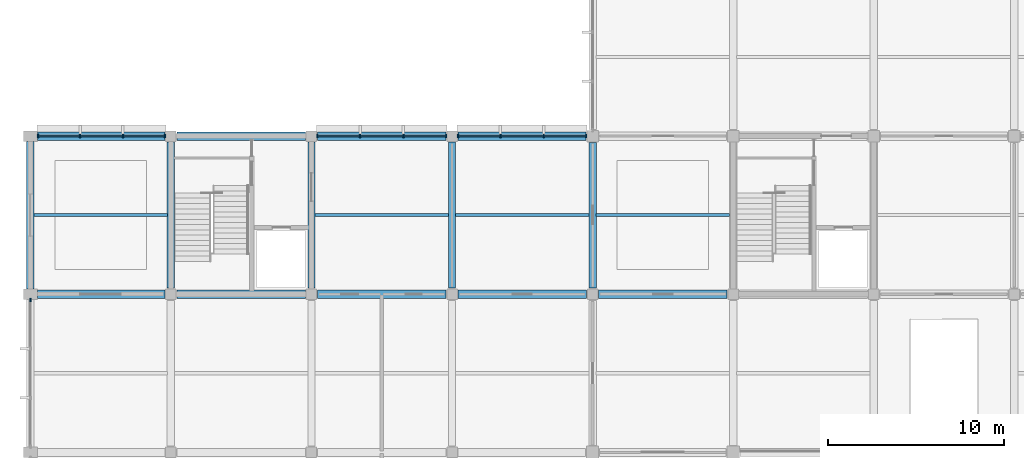
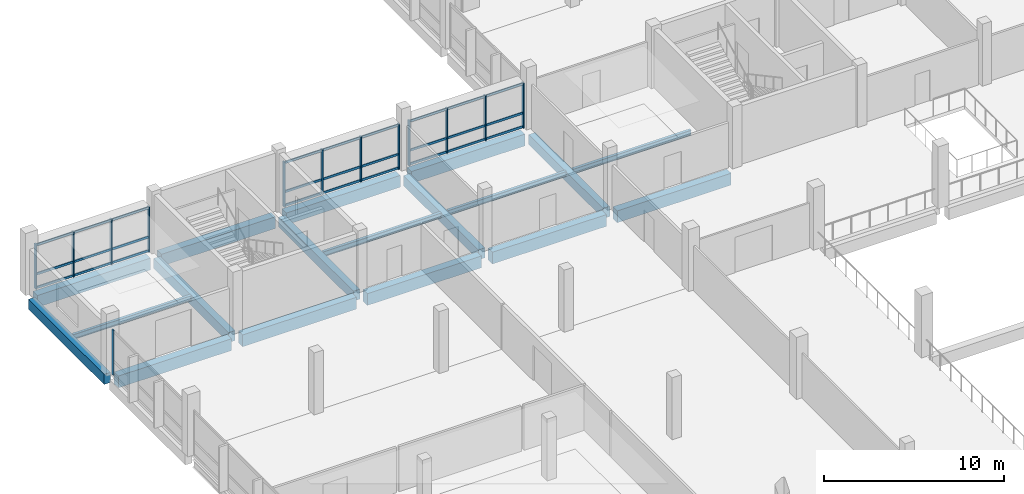
# One storey, part 14 of 57: 40 members, 18 beams, 4 elements without a shape of their own.
"""IFC4 building model written with IfcOpenShell, lengths in metres."""

from ifc_helpers import new_model, si_unit, direction, frame, origin, origin_2d, place, context, subcontext, project, spatial, rectangle, i_section, extrude, material, material_profile, profile_set, type_object, element, aggregate, save


model = new_model("IFC4")

# Units and contexts
model_context = context("Model", 3, precision=1e-05, world=origin(), true_north=direction((0.0, 1.0)))
body_context = subcontext(model_context, "Body", "Model", "MODEL_VIEW")
ifc_project = project(units=[si_unit("LENGTHUNIT", "METRE"), si_unit("AREAUNIT", "SQUARE_METRE"), si_unit("VOLUMEUNIT", "CUBIC_METRE"), si_unit("PLANEANGLEUNIT", "RADIAN"), si_unit("MASSUNIT", "GRAM", prefix="KILO"), si_unit("THERMODYNAMICTEMPERATUREUNIT", "KELVIN"), si_unit("POWERUNIT", "WATT")], contexts=[model_context])

# Site, building, storey
site_placement = place(None, origin())
site = spatial("IfcSite", under=ifc_project, at=site_placement, CompositionType="ELEMENT")
building_placement = place(site_placement, origin())
building = spatial("IfcBuilding", under=site, at=building_placement, Name="Kronsvod Quay Wholesale Market", CompositionType="ELEMENT")
storey_placement = place(building_placement, frame((0.0, 0.0, 4.800048828125)))
storey = spatial("IfcBuildingStorey", under=building, at=storey_placement, Name="L01", CompositionType="ELEMENT", Elevation=4.800048828125)

# Beams
ifc_material_1 = material(Name="Precast concrete C40/50", Category="concrete")
ifc_material_profile_1 = material_profile(ifc_material_1, rectangle(XDim=0.419921875, YDim=0.679931640625, at=origin_2d()), Name="PB-05")
ifc_profile_set_1 = profile_set([ifc_material_profile_1], Name="Precast concrete C40/50")
beam_type_1 = type_object("IfcBeamType", Name="Beam_PCB420x680", PredefinedType="BEAM", material=ifc_profile_set_1)
beam_1_placement = place(storey_placement, frame((0.0, 99.300048828125, -0.64013671875), z_axis=(0.0, 1.0, 0.0), x_axis=(-1.0, 0.0, 0.0)))
element("IfcBeam", 1, at=beam_1_placement, inside=storey, type_object=beam_type_1, Name="BMY-L01-0-990", PredefinedType="BEAM", context=body_context, shape_type="SweptSolid", body=[
    extrude(rectangle(XDim=0.419921875, YDim=0.679931640625, at=origin_2d()), origin(), (0.0, 0.0, 1.0), 8.39990234375),
])
for number, where, z_axis, x_axis, name in (
    (2, (8.0, 99.35009765625, -0.64013671875), (0.0, 1.0, 0.0), (-1.0, 0.0, 0.0), "BMY-L01-80-990"),
    (3, (16.0, 99.35009765625, -0.64013671875), (0.0, 1.0, 0.0), (-1.0, 0.0, 0.0), "BMY-L01-160-990"),
    (4, (24.0, 99.35009765625, -0.64013671875), (0.0, 1.0, 0.0), (-1.0, 0.0, 0.0), "BMY-L01-240-990"),
):
    element("IfcBeam", number, at=place(storey_placement, frame(where, z_axis=z_axis, x_axis=x_axis)), inside=storey, type_object=beam_type_1, Name=name, PredefinedType="BEAM", context=body_context, shape_type="SweptSolid", body=[
        extrude(rectangle(XDim=0.419921875, YDim=0.679931640625, at=origin_2d()), origin(), (0.0, 0.0, 1.0), 8.2998046875),
    ])
beam_2_placement = place(storey_placement, frame((32.0, 99.35009765625, -0.64013671875), z_axis=(0.0, 1.0, 0.0), x_axis=(-1.0, 0.0, 0.0)))
element("IfcBeam", 5, at=beam_2_placement, inside=storey, type_object=beam_type_1, Name="BMY-L01-320-990", PredefinedType="BEAM", context=body_context, shape_type="SweptSolid", body=[
    extrude(rectangle(XDim=0.419921875, YDim=0.679931640625, at=origin_2d()), origin(), (0.0, 0.0, 1.0), 8.27490234375),
])
ifc_material_2 = material(Name="Precast concrete C40/50", Category="concrete")
ifc_material_profile_2 = material_profile(ifc_material_2, rectangle(XDim=0.47998046875, YDim=0.800048828125, at=origin_2d()), Name="PB-04")
ifc_profile_set_2 = profile_set([ifc_material_profile_2], Name="Precast concrete C40/50")
beam_type_2 = type_object("IfcBeamType", Name="Beam_PCB480x800", PredefinedType="BEAM", material=ifc_profile_set_2)
beam_3_placement = place(storey_placement, frame((0.39990234375, 99.0, -0.699951171875), z_axis=(1.0, 0.0, 0.0), x_axis=(0.0, 1.0, 0.0)))
element("IfcBeam", 6, at=beam_3_placement, inside=storey, type_object=beam_type_2, Name="BMX-L01-0-990", PredefinedType="BEAM", context=body_context, shape_type="SweptSolid", body=[
    extrude(rectangle(XDim=0.47998046875, YDim=0.800048828125, at=origin_2d()), origin(), (0.0, 0.0, 1.0), 7.25),
])
for number, where, z_axis, x_axis, name in (
    (7, (8.35009765625, 99.0, -0.699951171875), (1.0, 0.0, 0.0), (0.0, 1.0, 0.0), "BMX-L01-80-990"),
    (8, (16.35009765625, 99.0, -0.699951171875), (1.0, 0.0, 0.0), (0.0, 1.0, 0.0), "BMX-L01-160-990"),
    (9, (24.35009765625, 99.0, -0.699951171875), (1.0, 0.0, 0.0), (0.0, 1.0, 0.0), "BMX-L01-240-990"),
    (10, (32.35009765625, 99.0, -0.699951171875), (1.0, 0.0, 0.0), (0.0, 1.0, 0.0), "BMX-L01-320-990"),
):
    element("IfcBeam", number, at=place(storey_placement, frame(where, z_axis=z_axis, x_axis=x_axis)), inside=storey, type_object=beam_type_2, Name=name, PredefinedType="BEAM", context=body_context, shape_type="SweptSolid", body=[
        extrude(rectangle(XDim=0.47998046875, YDim=0.800048828125, at=origin_2d()), origin(), (0.0, 0.0, 1.0), 7.2998046875),
    ])
beam_4_placement = place(storey_placement, frame((0.39990234375, 108.0, -0.699951171875), z_axis=(1.0, 0.0, 0.0), x_axis=(0.0, 1.0, 0.0)))
element("IfcBeam", 11, at=beam_4_placement, inside=storey, type_object=beam_type_2, Name="BMX-L01-0-1080", PredefinedType="BEAM", context=body_context, shape_type="SweptSolid", body=[
    extrude(rectangle(XDim=0.47998046875, YDim=0.800048828125, at=origin_2d()), origin(), (0.0, 0.0, 1.0), 7.25),
])
for number, where, z_axis, x_axis, name in (
    (12, (8.35009765625, 108.0, -0.699951171875), (1.0, 0.0, 0.0), (0.0, 1.0, 0.0), "BMX-L01-80-1080"),
    (13, (16.35009765625, 108.0, -0.699951171875), (1.0, 0.0, 0.0), (0.0, 1.0, 0.0), "BMX-L01-160-1080"),
):
    element("IfcBeam", number, at=place(storey_placement, frame(where, z_axis=z_axis, x_axis=x_axis)), inside=storey, type_object=beam_type_2, Name=name, PredefinedType="BEAM", context=body_context, shape_type="SweptSolid", body=[
        extrude(rectangle(XDim=0.47998046875, YDim=0.800048828125, at=origin_2d()), origin(), (0.0, 0.0, 1.0), 7.2998046875),
    ])
beam_5_placement = place(storey_placement, frame((24.35009765625, 108.0, -0.699951171875), z_axis=(1.0, 0.0, 0.0), x_axis=(0.0, 1.0, 0.0)))
element("IfcBeam", 14, at=beam_5_placement, inside=storey, type_object=beam_type_2, Name="BMX-L01-240-1080", PredefinedType="BEAM", context=body_context, shape_type="SweptSolid", body=[
    extrude(rectangle(XDim=0.47998046875, YDim=0.800048828125, at=origin_2d()), origin(), (0.0, 0.0, 1.0), 7.27490234375),
])
ifc_material_3 = material(Name="Steel S355", Category="steel")
ifc_material_profile_3 = material_profile(ifc_material_3, i_section(OverallWidth=0.175048828125, OverallDepth=0.35009765625, WebThickness=0.007080078125, FlangeThickness=0.010986328125, FilletRadius=0.013916015625, at=origin_2d()), Name="35B2")
ifc_profile_set_3 = profile_set([ifc_material_profile_3], Name="Steel S355")
beam_type_3 = type_object("IfcBeamType", Name="Joist_Steel35B2", PredefinedType="JOIST", material=ifc_profile_set_3)
for number, where, z_axis, x_axis, name in (
    (15, (0.205078125, 103.5, -0.425048828125), (1.0, 0.0, 0.0), (0.0, 1.0, 0.0), "JSTX-L01-0-990"),
    (16, (16.205078125, 103.5, -0.425048828125), (1.0, 0.0, 0.0), (0.0, 1.0, 0.0), "JSTX-L01-160-990"),
    (17, (24.205078125, 103.5, -0.425048828125), (1.0, 0.0, 0.0), (0.0, 1.0, 0.0), "JSTX-L01-240-990"),
    (18, (32.205078125, 103.5, -0.425048828125), (1.0, 0.0, 0.0), (0.0, 1.0, 0.0), "JSTX-L01-320-990"),
):
    element("IfcBeam", number, at=place(storey_placement, frame(where, z_axis=z_axis, x_axis=x_axis)), inside=storey, type_object=beam_type_3, Name=name, PredefinedType="JOIST", context=body_context, shape_type="SweptSolid", body=[
        extrude(i_section(OverallWidth=0.175048828125, OverallDepth=0.35009765625, WebThickness=0.007080078125, FlangeThickness=0.010986328125, FilletRadius=0.013916015625, at=origin_2d()), origin(), (0.0, 0.0, 1.0), 7.58984375),
    ])

# Curtain wall, members
ifc_material_4 = material(Name="Thermally broken aluminium and triple low-E glazing", Category="aluminium")
curtain_wall_type_1 = type_object("IfcCurtainWallType", Name="CW_Forecourt80x33", PredefinedType="NOTDEFINED", material=ifc_material_4)
curtain_wall_1_placement = place(storey_placement, origin())
curtain_wall_1 = element("IfcCurtainWall", 19, at=curtain_wall_1_placement, inside=storey, type_object=curtain_wall_type_1, Name="CWGX-L01-0-1080", PredefinedType="NOTDEFINED")
ifc_material_5 = material(Name="Anodised aluminium", Category="aluminium")
ifc_material_profile_4 = material_profile(ifc_material_5, rectangle(XDim=0.074951171875, YDim=0.199951171875, at=origin_2d()), Name="ALUM75x200")
ifc_profile_set_4 = profile_set([ifc_material_profile_4], Name="Anodised aluminium")
member_type_1 = type_object("IfcMemberType", Name="Mullion_ALU75x200", PredefinedType="MULLION", material=ifc_profile_set_4)
member_1_placement = place(storey_placement, frame((7.66748046875, 108.0, 0.0), z_axis=(0.0, 0.0, 1.0), x_axis=(1.0, 0.0, 0.0)))
member_1 = element("IfcMember", 20, at=member_1_placement, type_object=member_type_1, Name="CWGX-L01-0-1080-M1", PredefinedType="MULLION", context=body_context, shape_type="SweptSolid", body=[
    extrude(rectangle(XDim=0.074951171875, YDim=0.199951171875, at=origin_2d()), origin(), (0.0, 0.0, 1.0), 3.050048828125),
])
member_2_placement = place(storey_placement, frame((5.268310546875, 108.0, 0.0), z_axis=(0.0, 0.0, 1.0), x_axis=(1.0, 0.0, 0.0)))
member_2 = element("IfcMember", 21, at=member_2_placement, type_object=member_type_1, Name="CWGX-L01-0-1080-M2", PredefinedType="MULLION", context=body_context, shape_type="SweptSolid", body=[
    extrude(rectangle(XDim=0.074951171875, YDim=0.199951171875, at=origin_2d()), origin(), (0.0, 0.0, 1.0), 3.050048828125),
])
member_3_placement = place(storey_placement, frame((2.831787109375, 108.0, 0.0), z_axis=(0.0, 0.0, 1.0), x_axis=(1.0, 0.0, 0.0)))
member_3 = element("IfcMember", 22, at=member_3_placement, type_object=member_type_1, Name="CWGX-L01-0-1080-M3", PredefinedType="MULLION", context=body_context, shape_type="SweptSolid", body=[
    extrude(rectangle(XDim=0.074951171875, YDim=0.199951171875, at=origin_2d()), origin(), (0.0, 0.0, 1.0), 3.050048828125),
])
member_4_placement = place(storey_placement, frame((0.4326171875, 108.0, 0.0), z_axis=(0.0, 0.0, 1.0), x_axis=(1.0, 0.0, 0.0)))
member_4 = element("IfcMember", 23, at=member_4_placement, type_object=member_type_1, Name="CWGX-L01-0-1080-M4", PredefinedType="MULLION", context=body_context, shape_type="SweptSolid", body=[
    extrude(rectangle(XDim=0.074951171875, YDim=0.199951171875, at=origin_2d()), origin(), (0.0, 0.0, 1.0), 3.050048828125),
])

curtain_wall_2_placement = place(storey_placement, origin())
curtain_wall_2 = element("IfcCurtainWall", 24, at=curtain_wall_2_placement, inside=storey, type_object=curtain_wall_type_1, Name="CWGX-L01-160-1080", PredefinedType="NOTDEFINED")
member_5_placement = place(storey_placement, frame((23.66748046875, 108.0, 0.0), z_axis=(0.0, 0.0, 1.0), x_axis=(1.0, 0.0, 0.0)))
member_5 = element("IfcMember", 25, at=member_5_placement, type_object=member_type_1, Name="CWGX-L01-160-1080-M1", PredefinedType="MULLION", context=body_context, shape_type="SweptSolid", body=[
    extrude(rectangle(XDim=0.074951171875, YDim=0.199951171875, at=origin_2d()), origin(), (0.0, 0.0, 1.0), 3.050048828125),
])
member_6_placement = place(storey_placement, frame((21.235107421875, 108.0, 0.0), z_axis=(0.0, 0.0, 1.0), x_axis=(1.0, 0.0, 0.0)))
member_6 = element("IfcMember", 26, at=member_6_placement, type_object=member_type_1, Name="CWGX-L01-160-1080-M2", PredefinedType="MULLION", context=body_context, shape_type="SweptSolid", body=[
    extrude(rectangle(XDim=0.074951171875, YDim=0.199951171875, at=origin_2d()), origin(), (0.0, 0.0, 1.0), 3.050048828125),
])
member_7_placement = place(storey_placement, frame((18.764892578125, 108.0, 0.0), z_axis=(0.0, 0.0, 1.0), x_axis=(1.0, 0.0, 0.0)))
member_7 = element("IfcMember", 27, at=member_7_placement, type_object=member_type_1, Name="CWGX-L01-160-1080-M3", PredefinedType="MULLION", context=body_context, shape_type="SweptSolid", body=[
    extrude(rectangle(XDim=0.074951171875, YDim=0.199951171875, at=origin_2d()), origin(), (0.0, 0.0, 1.0), 3.050048828125),
])
member_8_placement = place(storey_placement, frame((16.33251953125, 108.0, 0.0), z_axis=(0.0, 0.0, 1.0), x_axis=(1.0, 0.0, 0.0)))
member_8 = element("IfcMember", 28, at=member_8_placement, type_object=member_type_1, Name="CWGX-L01-160-1080-M4", PredefinedType="MULLION", context=body_context, shape_type="SweptSolid", body=[
    extrude(rectangle(XDim=0.074951171875, YDim=0.199951171875, at=origin_2d()), origin(), (0.0, 0.0, 1.0), 3.050048828125),
])

curtain_wall_3_placement = place(storey_placement, origin())
curtain_wall_3 = element("IfcCurtainWall", 29, at=curtain_wall_3_placement, inside=storey, type_object=curtain_wall_type_1, Name="CWGX-L01-240-1080", PredefinedType="NOTDEFINED")
member_9_placement = place(storey_placement, frame((31.642578125, 108.0, 0.0), z_axis=(0.0, 0.0, 1.0), x_axis=(1.0, 0.0, 0.0)))
member_9 = element("IfcMember", 30, at=member_9_placement, type_object=member_type_1, Name="CWGX-L01-240-1080-M1", PredefinedType="MULLION", context=body_context, shape_type="SweptSolid", body=[
    extrude(rectangle(XDim=0.074951171875, YDim=0.199951171875, at=origin_2d()), origin(), (0.0, 0.0, 1.0), 3.050048828125),
])
member_10_placement = place(storey_placement, frame((29.21826171875, 108.0, 0.0), z_axis=(0.0, 0.0, 1.0), x_axis=(1.0, 0.0, 0.0)))
member_10 = element("IfcMember", 31, at=member_10_placement, type_object=member_type_1, Name="CWGX-L01-240-1080-M2", PredefinedType="MULLION", context=body_context, shape_type="SweptSolid", body=[
    extrude(rectangle(XDim=0.074951171875, YDim=0.199951171875, at=origin_2d()), origin(), (0.0, 0.0, 1.0), 3.050048828125),
])
member_11_placement = place(storey_placement, frame((26.756591796875, 108.0, 0.0), z_axis=(0.0, 0.0, 1.0), x_axis=(1.0, 0.0, 0.0)))
member_11 = element("IfcMember", 32, at=member_11_placement, type_object=member_type_1, Name="CWGX-L01-240-1080-M3", PredefinedType="MULLION", context=body_context, shape_type="SweptSolid", body=[
    extrude(rectangle(XDim=0.074951171875, YDim=0.199951171875, at=origin_2d()), origin(), (0.0, 0.0, 1.0), 3.050048828125),
])
member_12_placement = place(storey_placement, frame((24.33251953125, 108.0, 0.0), z_axis=(0.0, 0.0, 1.0), x_axis=(1.0, 0.0, 0.0)))
member_12 = element("IfcMember", 33, at=member_12_placement, type_object=member_type_1, Name="CWGX-L01-240-1080-M4", PredefinedType="MULLION", context=body_context, shape_type="SweptSolid", body=[
    extrude(rectangle(XDim=0.074951171875, YDim=0.199951171875, at=origin_2d()), origin(), (0.0, 0.0, 1.0), 3.050048828125),
])

# Curtain wall, member
ifc_material_6 = material(Name="Thermally broken aluminium and triple low-E glazing", Category="aluminium")
curtain_wall_type_2 = type_object("IfcCurtainWallType", Name="CW_Wing90x33", PredefinedType="NOTDEFINED", material=ifc_material_6)
curtain_wall_4_placement = place(storey_placement, origin())
curtain_wall_4 = element("IfcCurtainWall", 34, at=curtain_wall_4_placement, inside=storey, type_object=curtain_wall_type_2, Name="CWGY-L01-0-900", PredefinedType="NOTDEFINED")
member_13_placement = place(storey_placement, frame((0.0, 98.66748046875, 0.0), z_axis=(0.0, 0.0, 1.0), x_axis=(1.0, 0.0, 0.0)))
member_13 = element("IfcMember", 35, at=member_13_placement, type_object=member_type_1, Name="CWGY-L01-0-900-M1", PredefinedType="MULLION", context=body_context, shape_type="SweptSolid", body=[
    extrude(rectangle(XDim=0.074951171875, YDim=0.199951171875, at=origin_2d()), origin(), (0.0, 0.0, 1.0), 3.050048828125),
])
aggregate(curtain_wall_4, [member_13])

# Member
ifc_material_7 = material(Name="Anodised aluminium", Category="aluminium")
ifc_material_profile_5 = material_profile(ifc_material_7, rectangle(XDim=0.074951171875, YDim=0.14990234375, at=origin_2d()), Name="ALUT75x150")
ifc_profile_set_5 = profile_set([ifc_material_profile_5], Name="Anodised aluminium")
member_type_2 = type_object("IfcMemberType", Name="Transom_ALU75x150", PredefinedType="USERDEFINED", material=ifc_profile_set_5)
member_14_placement = place(storey_placement, frame((7.6298828125, 108.0, 0.074951171875), z_axis=(-1.0, 0.0, 0.0), x_axis=(0.0, -1.0, 0.0)))
member_14 = element("IfcMember", 36, at=member_14_placement, type_object=member_type_2, Name="CWGX-L01-0-1080-T1B1", ObjectType="TRANSOM", PredefinedType="USERDEFINED", context=body_context, shape_type="SweptSolid", body=[
    extrude(rectangle(XDim=0.074951171875, YDim=0.14990234375, at=origin_2d()), origin(), (0.0, 0.0, 1.0), 2.323974609375),
])

member_15_placement = place(storey_placement, frame((5.230712890625, 108.0, 0.074951171875), z_axis=(-1.0, 0.0, 0.0), x_axis=(0.0, -1.0, 0.0)))
member_15 = element("IfcMember", 37, at=member_15_placement, type_object=member_type_2, Name="CWGX-L01-0-1080-T1B2", ObjectType="TRANSOM", PredefinedType="USERDEFINED", context=body_context, shape_type="SweptSolid", body=[
    extrude(rectangle(XDim=0.074951171875, YDim=0.14990234375, at=origin_2d()), origin(), (0.0, 0.0, 1.0), 2.361572265625),
])

member_16_placement = place(storey_placement, frame((2.794189453125, 108.0, 0.074951171875), z_axis=(-1.0, 0.0, 0.0), x_axis=(0.0, -1.0, 0.0)))
member_16 = element("IfcMember", 38, at=member_16_placement, type_object=member_type_2, Name="CWGX-L01-0-1080-T1B3", ObjectType="TRANSOM", PredefinedType="USERDEFINED", context=body_context, shape_type="SweptSolid", body=[
    extrude(rectangle(XDim=0.074951171875, YDim=0.14990234375, at=origin_2d()), origin(), (0.0, 0.0, 1.0), 2.32421875),
])

member_17_placement = place(storey_placement, frame((7.6298828125, 108.0, 1.0), z_axis=(-1.0, 0.0, 0.0), x_axis=(0.0, -1.0, 0.0)))
member_17 = element("IfcMember", 39, at=member_17_placement, type_object=member_type_2, Name="CWGX-L01-0-1080-T2B1", ObjectType="TRANSOM", PredefinedType="USERDEFINED", context=body_context, shape_type="SweptSolid", body=[
    extrude(rectangle(XDim=0.074951171875, YDim=0.14990234375, at=origin_2d()), origin(), (0.0, 0.0, 1.0), 2.323974609375),
])

member_18_placement = place(storey_placement, frame((5.230712890625, 108.0, 1.0), z_axis=(-1.0, 0.0, 0.0), x_axis=(0.0, -1.0, 0.0)))
member_18 = element("IfcMember", 40, at=member_18_placement, type_object=member_type_2, Name="CWGX-L01-0-1080-T2B2", ObjectType="TRANSOM", PredefinedType="USERDEFINED", context=body_context, shape_type="SweptSolid", body=[
    extrude(rectangle(XDim=0.074951171875, YDim=0.14990234375, at=origin_2d()), origin(), (0.0, 0.0, 1.0), 2.361572265625),
])

member_19_placement = place(storey_placement, frame((2.794189453125, 108.0, 1.0), z_axis=(-1.0, 0.0, 0.0), x_axis=(0.0, -1.0, 0.0)))
member_19 = element("IfcMember", 41, at=member_19_placement, type_object=member_type_2, Name="CWGX-L01-0-1080-T2B3", ObjectType="TRANSOM", PredefinedType="USERDEFINED", context=body_context, shape_type="SweptSolid", body=[
    extrude(rectangle(XDim=0.074951171875, YDim=0.14990234375, at=origin_2d()), origin(), (0.0, 0.0, 1.0), 2.32421875),
])

member_20_placement = place(storey_placement, frame((7.6298828125, 108.0, 2.974853515625), z_axis=(-1.0, 0.0, 0.0), x_axis=(0.0, -1.0, 0.0)))
member_20 = element("IfcMember", 42, at=member_20_placement, type_object=member_type_2, Name="CWGX-L01-0-1080-T3B1", ObjectType="TRANSOM", PredefinedType="USERDEFINED", context=body_context, shape_type="SweptSolid", body=[
    extrude(rectangle(XDim=0.074951171875, YDim=0.14990234375, at=origin_2d()), origin(), (0.0, 0.0, 1.0), 2.323974609375),
])

member_21_placement = place(storey_placement, frame((5.230712890625, 108.0, 2.974853515625), z_axis=(-1.0, 0.0, 0.0), x_axis=(0.0, -1.0, 0.0)))
member_21 = element("IfcMember", 43, at=member_21_placement, type_object=member_type_2, Name="CWGX-L01-0-1080-T3B2", ObjectType="TRANSOM", PredefinedType="USERDEFINED", context=body_context, shape_type="SweptSolid", body=[
    extrude(rectangle(XDim=0.074951171875, YDim=0.14990234375, at=origin_2d()), origin(), (0.0, 0.0, 1.0), 2.361572265625),
])

member_22_placement = place(storey_placement, frame((2.794189453125, 108.0, 2.974853515625), z_axis=(-1.0, 0.0, 0.0), x_axis=(0.0, -1.0, 0.0)))
member_22 = element("IfcMember", 44, at=member_22_placement, type_object=member_type_2, Name="CWGX-L01-0-1080-T3B3", ObjectType="TRANSOM", PredefinedType="USERDEFINED", context=body_context, shape_type="SweptSolid", body=[
    extrude(rectangle(XDim=0.074951171875, YDim=0.14990234375, at=origin_2d()), origin(), (0.0, 0.0, 1.0), 2.32421875),
])

aggregate(curtain_wall_1, [member_1, member_2, member_3, member_4, member_14, member_15, member_16, member_17, member_18, member_19, member_20, member_21, member_22])

member_23_placement = place(storey_placement, frame((23.6298828125, 108.0, 0.074951171875), z_axis=(-1.0, 0.0, 0.0), x_axis=(0.0, -1.0, 0.0)))
member_23 = element("IfcMember", 45, at=member_23_placement, type_object=member_type_2, Name="CWGX-L01-160-1080-T1B1", ObjectType="TRANSOM", PredefinedType="USERDEFINED", context=body_context, shape_type="SweptSolid", body=[
    extrude(rectangle(XDim=0.074951171875, YDim=0.14990234375, at=origin_2d()), origin(), (0.0, 0.0, 1.0), 2.357421875),
])

member_24_placement = place(storey_placement, frame((21.197509765625, 108.0, 0.074951171875), z_axis=(-1.0, 0.0, 0.0), x_axis=(0.0, -1.0, 0.0)))
member_24 = element("IfcMember", 46, at=member_24_placement, type_object=member_type_2, Name="CWGX-L01-160-1080-T1B2", ObjectType="TRANSOM", PredefinedType="USERDEFINED", context=body_context, shape_type="SweptSolid", body=[
    extrude(rectangle(XDim=0.074951171875, YDim=0.14990234375, at=origin_2d()), origin(), (0.0, 0.0, 1.0), 2.39501953125),
])

member_25_placement = place(storey_placement, frame((18.7275390625, 108.0, 0.074951171875), z_axis=(-1.0, 0.0, 0.0), x_axis=(0.0, -1.0, 0.0)))
member_25 = element("IfcMember", 47, at=member_25_placement, type_object=member_type_2, Name="CWGX-L01-160-1080-T1B3", ObjectType="TRANSOM", PredefinedType="USERDEFINED", context=body_context, shape_type="SweptSolid", body=[
    extrude(rectangle(XDim=0.074951171875, YDim=0.14990234375, at=origin_2d()), origin(), (0.0, 0.0, 1.0), 2.357421875),
])

member_26_placement = place(storey_placement, frame((23.6298828125, 108.0, 1.0), z_axis=(-1.0, 0.0, 0.0), x_axis=(0.0, -1.0, 0.0)))
member_26 = element("IfcMember", 48, at=member_26_placement, type_object=member_type_2, Name="CWGX-L01-160-1080-T2B1", ObjectType="TRANSOM", PredefinedType="USERDEFINED", context=body_context, shape_type="SweptSolid", body=[
    extrude(rectangle(XDim=0.074951171875, YDim=0.14990234375, at=origin_2d()), origin(), (0.0, 0.0, 1.0), 2.357421875),
])

member_27_placement = place(storey_placement, frame((21.197509765625, 108.0, 1.0), z_axis=(-1.0, 0.0, 0.0), x_axis=(0.0, -1.0, 0.0)))
member_27 = element("IfcMember", 49, at=member_27_placement, type_object=member_type_2, Name="CWGX-L01-160-1080-T2B2", ObjectType="TRANSOM", PredefinedType="USERDEFINED", context=body_context, shape_type="SweptSolid", body=[
    extrude(rectangle(XDim=0.074951171875, YDim=0.14990234375, at=origin_2d()), origin(), (0.0, 0.0, 1.0), 2.39501953125),
])

member_28_placement = place(storey_placement, frame((18.7275390625, 108.0, 1.0), z_axis=(-1.0, 0.0, 0.0), x_axis=(0.0, -1.0, 0.0)))
member_28 = element("IfcMember", 50, at=member_28_placement, type_object=member_type_2, Name="CWGX-L01-160-1080-T2B3", ObjectType="TRANSOM", PredefinedType="USERDEFINED", context=body_context, shape_type="SweptSolid", body=[
    extrude(rectangle(XDim=0.074951171875, YDim=0.14990234375, at=origin_2d()), origin(), (0.0, 0.0, 1.0), 2.357421875),
])

member_29_placement = place(storey_placement, frame((23.6298828125, 108.0, 2.974853515625), z_axis=(-1.0, 0.0, 0.0), x_axis=(0.0, -1.0, 0.0)))
member_29 = element("IfcMember", 51, at=member_29_placement, type_object=member_type_2, Name="CWGX-L01-160-1080-T3B1", ObjectType="TRANSOM", PredefinedType="USERDEFINED", context=body_context, shape_type="SweptSolid", body=[
    extrude(rectangle(XDim=0.074951171875, YDim=0.14990234375, at=origin_2d()), origin(), (0.0, 0.0, 1.0), 2.357421875),
])

member_30_placement = place(storey_placement, frame((21.197509765625, 108.0, 2.974853515625), z_axis=(-1.0, 0.0, 0.0), x_axis=(0.0, -1.0, 0.0)))
member_30 = element("IfcMember", 52, at=member_30_placement, type_object=member_type_2, Name="CWGX-L01-160-1080-T3B2", ObjectType="TRANSOM", PredefinedType="USERDEFINED", context=body_context, shape_type="SweptSolid", body=[
    extrude(rectangle(XDim=0.074951171875, YDim=0.14990234375, at=origin_2d()), origin(), (0.0, 0.0, 1.0), 2.39501953125),
])

member_31_placement = place(storey_placement, frame((18.7275390625, 108.0, 2.974853515625), z_axis=(-1.0, 0.0, 0.0), x_axis=(0.0, -1.0, 0.0)))
member_31 = element("IfcMember", 53, at=member_31_placement, type_object=member_type_2, Name="CWGX-L01-160-1080-T3B3", ObjectType="TRANSOM", PredefinedType="USERDEFINED", context=body_context, shape_type="SweptSolid", body=[
    extrude(rectangle(XDim=0.074951171875, YDim=0.14990234375, at=origin_2d()), origin(), (0.0, 0.0, 1.0), 2.357421875),
])

aggregate(curtain_wall_2, [member_5, member_6, member_7, member_8, member_23, member_24, member_25, member_26, member_27, member_28, member_29, member_30, member_31])

member_32_placement = place(storey_placement, frame((31.60498046875, 108.0, 0.074951171875), z_axis=(-1.0, 0.0, 0.0), x_axis=(0.0, -1.0, 0.0)))
member_32 = element("IfcMember", 54, at=member_32_placement, type_object=member_type_2, Name="CWGX-L01-240-1080-T1B1", ObjectType="TRANSOM", PredefinedType="USERDEFINED", context=body_context, shape_type="SweptSolid", body=[
    extrude(rectangle(XDim=0.074951171875, YDim=0.14990234375, at=origin_2d()), origin(), (0.0, 0.0, 1.0), 2.34912109375),
])

member_33_placement = place(storey_placement, frame((29.180908203125, 108.0, 0.074951171875), z_axis=(-1.0, 0.0, 0.0), x_axis=(0.0, -1.0, 0.0)))
member_33 = element("IfcMember", 55, at=member_33_placement, type_object=member_type_2, Name="CWGX-L01-240-1080-T1B2", ObjectType="TRANSOM", PredefinedType="USERDEFINED", context=body_context, shape_type="SweptSolid", body=[
    extrude(rectangle(XDim=0.074951171875, YDim=0.14990234375, at=origin_2d()), origin(), (0.0, 0.0, 1.0), 2.38671875),
])

member_34_placement = place(storey_placement, frame((26.71923828125, 108.0, 0.074951171875), z_axis=(-1.0, 0.0, 0.0), x_axis=(0.0, -1.0, 0.0)))
member_34 = element("IfcMember", 56, at=member_34_placement, type_object=member_type_2, Name="CWGX-L01-240-1080-T1B3", ObjectType="TRANSOM", PredefinedType="USERDEFINED", context=body_context, shape_type="SweptSolid", body=[
    extrude(rectangle(XDim=0.074951171875, YDim=0.14990234375, at=origin_2d()), origin(), (0.0, 0.0, 1.0), 2.34912109375),
])

member_35_placement = place(storey_placement, frame((31.60498046875, 108.0, 1.0), z_axis=(-1.0, 0.0, 0.0), x_axis=(0.0, -1.0, 0.0)))
member_35 = element("IfcMember", 57, at=member_35_placement, type_object=member_type_2, Name="CWGX-L01-240-1080-T2B1", ObjectType="TRANSOM", PredefinedType="USERDEFINED", context=body_context, shape_type="SweptSolid", body=[
    extrude(rectangle(XDim=0.074951171875, YDim=0.14990234375, at=origin_2d()), origin(), (0.0, 0.0, 1.0), 2.34912109375),
])

member_36_placement = place(storey_placement, frame((29.180908203125, 108.0, 1.0), z_axis=(-1.0, 0.0, 0.0), x_axis=(0.0, -1.0, 0.0)))
member_36 = element("IfcMember", 58, at=member_36_placement, type_object=member_type_2, Name="CWGX-L01-240-1080-T2B2", ObjectType="TRANSOM", PredefinedType="USERDEFINED", context=body_context, shape_type="SweptSolid", body=[
    extrude(rectangle(XDim=0.074951171875, YDim=0.14990234375, at=origin_2d()), origin(), (0.0, 0.0, 1.0), 2.38671875),
])

member_37_placement = place(storey_placement, frame((26.71923828125, 108.0, 1.0), z_axis=(-1.0, 0.0, 0.0), x_axis=(0.0, -1.0, 0.0)))
member_37 = element("IfcMember", 59, at=member_37_placement, type_object=member_type_2, Name="CWGX-L01-240-1080-T2B3", ObjectType="TRANSOM", PredefinedType="USERDEFINED", context=body_context, shape_type="SweptSolid", body=[
    extrude(rectangle(XDim=0.074951171875, YDim=0.14990234375, at=origin_2d()), origin(), (0.0, 0.0, 1.0), 2.34912109375),
])

member_38_placement = place(storey_placement, frame((31.60498046875, 108.0, 2.974853515625), z_axis=(-1.0, 0.0, 0.0), x_axis=(0.0, -1.0, 0.0)))
member_38 = element("IfcMember", 60, at=member_38_placement, type_object=member_type_2, Name="CWGX-L01-240-1080-T3B1", ObjectType="TRANSOM", PredefinedType="USERDEFINED", context=body_context, shape_type="SweptSolid", body=[
    extrude(rectangle(XDim=0.074951171875, YDim=0.14990234375, at=origin_2d()), origin(), (0.0, 0.0, 1.0), 2.34912109375),
])

member_39_placement = place(storey_placement, frame((29.180908203125, 108.0, 2.974853515625), z_axis=(-1.0, 0.0, 0.0), x_axis=(0.0, -1.0, 0.0)))
member_39 = element("IfcMember", 61, at=member_39_placement, type_object=member_type_2, Name="CWGX-L01-240-1080-T3B2", ObjectType="TRANSOM", PredefinedType="USERDEFINED", context=body_context, shape_type="SweptSolid", body=[
    extrude(rectangle(XDim=0.074951171875, YDim=0.14990234375, at=origin_2d()), origin(), (0.0, 0.0, 1.0), 2.38671875),
])

member_40_placement = place(storey_placement, frame((26.71923828125, 108.0, 2.974853515625), z_axis=(-1.0, 0.0, 0.0), x_axis=(0.0, -1.0, 0.0)))
member_40 = element("IfcMember", 62, at=member_40_placement, type_object=member_type_2, Name="CWGX-L01-240-1080-T3B3", ObjectType="TRANSOM", PredefinedType="USERDEFINED", context=body_context, shape_type="SweptSolid", body=[
    extrude(rectangle(XDim=0.074951171875, YDim=0.14990234375, at=origin_2d()), origin(), (0.0, 0.0, 1.0), 2.34912109375),
])

aggregate(curtain_wall_3, [member_9, member_10, member_11, member_12, member_32, member_33, member_34, member_35, member_36, member_37, member_38, member_39, member_40])

save(model, "model.ifc")
